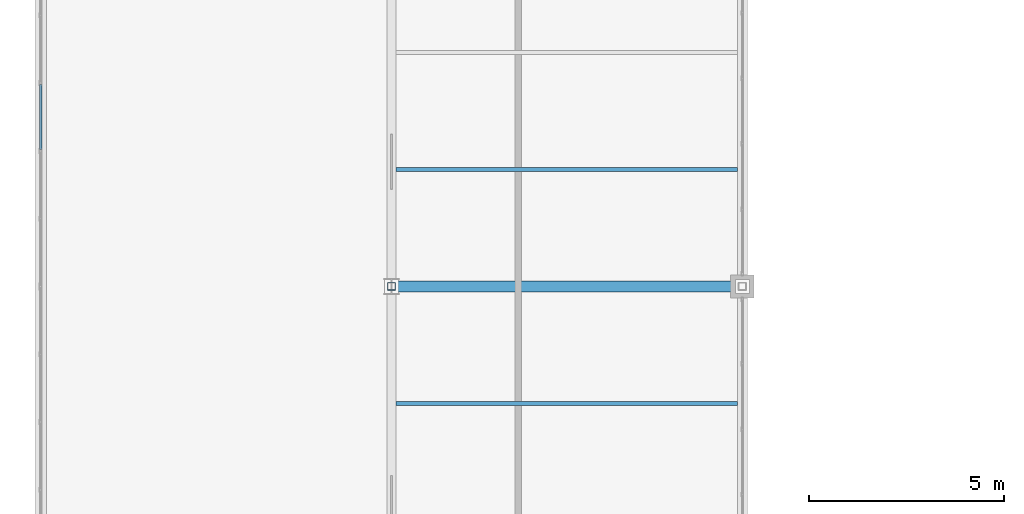
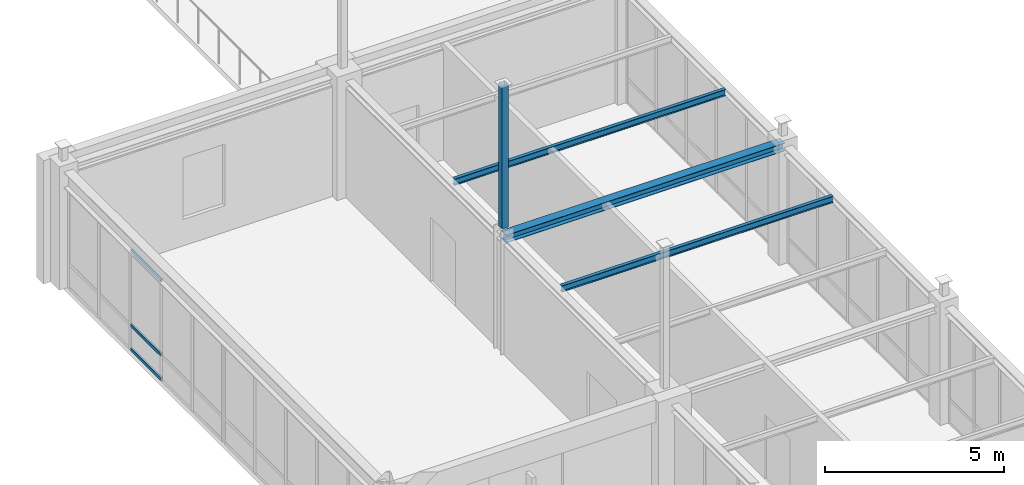
# One storey, part 22 of 36: 4 members, 3 beams, 1 element without a shape of its own.
"""IFC4 building model written with IfcOpenShell, lengths in metres."""

import ifcopenshell
import ifcopenshell.guid

model = None  # the IFC model being written
_history = None  # IfcOwnerHistory: only IFC2X3 demands one
_inside = {}  # id of a spatial element -> (the spatial element, [elements in it])
_under = {}  # id of a project, library or spatial element -> (it, [spatial elements below it])
_declared = {}  # id of a project -> (the project, [libraries it declares])
_typed = {}  # id of a type object -> (the type object, [elements of that type])
_made_of = {}  # id of a material, layer set ... -> (it, [elements and type objects made of it])


def new_model(schema):
    """Start an empty IFC model of exactly this schema.

    Asked for "IFC4X3", IfcOpenShell would pick the latest addendum, in which some entities
    have other attributes; the version numbers below select the first issue.
    IFC2X3 requires an IfcOwnerHistory on every rooted entity: one is made here for all.
    """
    global model, _history
    if schema == "IFC4X3":
        model = ifcopenshell.file(schema_version=(4, 3, 0, 0))
    else:
        model = ifcopenshell.file(schema=schema)
    _inside.clear()
    _under.clear()
    _declared.clear()
    _typed.clear()
    _made_of.clear()
    _history = None
    if model.schema == "IFC2X3":
        org = make("IfcOrganization", Name="unknown")
        user = make(
            "IfcPersonAndOrganization",
            ThePerson=make("IfcPerson", FamilyName="unknown"),
            TheOrganization=org,
        )
        app = make(
            "IfcApplication",
            ApplicationDeveloper=org,
            Version="unknown",
            ApplicationFullName="unknown",
            ApplicationIdentifier="unknown",
        )
        _history = make(
            "IfcOwnerHistory",
            OwningUser=user,
            OwningApplication=app,
            ChangeAction="ADDED",
            CreationDate=0,
        )
    return model


def make(cls, **values):
    """One entity of the class cls with the attributes given. An attribute that is None is left unset."""
    return model.create_entity(
        cls, **{name: value for name, value in values.items() if value is not None}
    )


def rooted(cls, **values):
    """An entity with a GlobalId (a new one), such as an element, a storey or a relation."""
    return make(cls, GlobalId=ifcopenshell.guid.new(), OwnerHistory=_history, **values)


def si_unit(unit_type, name, prefix=None):
    """IfcSIUnit, for example si_unit("LENGTHUNIT", "METRE", prefix="MILLI")."""
    return make("IfcSIUnit", UnitType=unit_type, Prefix=prefix, Name=name)


def assignment(units):
    """IfcUnitAssignment: the units of a project."""
    return None if units is None else make("IfcUnitAssignment", Units=units)


def point(xyz):
    """IfcCartesianPoint."""
    return None if xyz is None else make("IfcCartesianPoint", Coordinates=xyz)


def direction(xyz):
    """IfcDirection."""
    return None if xyz is None else make("IfcDirection", DirectionRatios=xyz)


def frame(location, z_axis=None, x_axis=None):
    """IfcAxis2Placement3D, a coordinate frame: its origin and axes. An axis left out is left unset."""
    return make(
        "IfcAxis2Placement3D",
        Location=point(location),
        Axis=direction(z_axis),
        RefDirection=direction(x_axis),
    )


def frame_2d(location, x_axis=None):
    """IfcAxis2Placement2D, a coordinate frame in the plane: its origin and x axis."""
    return make(
        "IfcAxis2Placement2D", Location=point(location), RefDirection=direction(x_axis)
    )


def origin():
    """The frame at (0, 0, 0) with its axes left unset."""
    return frame((0.0, 0.0, 0.0))


def origin_2d():
    """The frame at (0, 0) in the plane with its x axis left unset."""
    return frame_2d((0.0, 0.0))


def place(relative_to, where):
    """IfcLocalPlacement: puts the frame where relative to a parent placement (None: the world)."""
    return make(
        "IfcLocalPlacement", PlacementRelTo=relative_to, RelativePlacement=where
    )


def context(
    kind, dimensions, precision=None, world=None, true_north=None, identifier=None
):
    """IfcGeometricRepresentationContext, for example the 3D "Model" context."""
    return make(
        "IfcGeometricRepresentationContext",
        ContextIdentifier=identifier,
        ContextType=kind,
        CoordinateSpaceDimension=dimensions,
        Precision=precision,
        WorldCoordinateSystem=world,
        TrueNorth=true_north,
    )


def subcontext(parent, identifier, kind, view, scale=None):
    """IfcGeometricRepresentationSubContext, for example "Body" below "Model"."""
    return make(
        "IfcGeometricRepresentationSubContext",
        ContextIdentifier=identifier,
        ContextType=kind,
        ParentContext=parent,
        TargetScale=scale,
        TargetView=view,
    )


def project(units=None, contexts=None):
    """IfcProject with its units and contexts."""
    return rooted(
        "IfcProject",
        Name="project",
        RepresentationContexts=contexts,
        UnitsInContext=assignment(units),
    )


def spatial(cls, under=None, at=None, **own):
    """A site, building, storey or space (cls), placed at a placement, below another one or the project."""
    s = rooted(cls, ObjectPlacement=at, **own)
    if under is not None:
        _under.setdefault(under.id(), (under, []))[1].append(s)
    return s


def profile(cls, at=None, kind="AREA", **sizes):
    """A parametric profile (cls). Its sizes go by their IFC names, for example OverallWidth=200.0."""
    return make(cls, ProfileType=kind, Position=at, **sizes)


def hollow_rectangle(**sizes):
    """IfcRectangleHollowProfileDef."""
    return profile("IfcRectangleHollowProfileDef", **sizes)


def i_section(**sizes):
    """IfcIShapeProfileDef."""
    return profile("IfcIShapeProfileDef", **sizes)


def extrude(swept, where, along, depth):
    """IfcExtrudedAreaSolid: the profile swept, set in the frame where, extruded along a direction by depth."""
    return make(
        "IfcExtrudedAreaSolid",
        SweptArea=swept,
        Position=where,
        ExtrudedDirection=direction(along),
        Depth=depth,
    )


def shape(context_of_items, identifier, shape_type, items):
    """IfcShapeRepresentation: the items that make up one representation, for example the "Body"."""
    return make(
        "IfcShapeRepresentation",
        ContextOfItems=context_of_items,
        RepresentationIdentifier=identifier,
        RepresentationType=shape_type,
        Items=items,
    )


def material(Name=None, Category=None):
    """IfcMaterial."""
    return make("IfcMaterial", Name=Name, Category=Category)


def material_profile(
    of_material, cross_section, Name=None, Category=None, Priority=None
):
    """IfcMaterialProfile: a cross section and its material."""
    return make(
        "IfcMaterialProfile",
        Name=Name,
        Material=of_material,
        Profile=cross_section,
        Priority=Priority,
        Category=Category,
    )


def profile_set(profiles, Name=None, composite=None):
    """IfcMaterialProfileSet."""
    return make(
        "IfcMaterialProfileSet",
        Name=Name,
        MaterialProfiles=profiles,
        CompositeProfile=composite,
    )


def made_of(thing, what):
    """Note that an element or type object is made of a material, layer set ...; save() writes the relation."""
    if what is not None:
        _made_of.setdefault(what.id(), (what, []))[1].append(thing)
    return thing


def type_object(cls, material=None, **own):
    """A type object (cls), such as IfcWallType, which elements share."""
    return made_of(rooted(cls, **own), material)


def element(
    cls,
    number,
    at=None,
    inside=None,
    cuts=None,
    type_object=None,
    material=None,
    context=None,
    identifier="Body",
    shape_type=None,
    held_by="IfcProductDefinitionShape",
    body=None,
    shapes=None,
    **own,
):
    """One element of the class cls, such as IfcWall. Its Tag is "e" and its number.

    at: its placement. inside: the storey or other place that contains it. cuts: it is an
    opening in that element (IfcRelVoidsElement). A single representation is given by context,
    identifier, shape_type and body (its items); several are given by shapes. held_by: the class
    of the entity that holds the representations. save() writes the other relations.
    """
    e = rooted(cls, Tag="e%d" % number, ObjectPlacement=at, **own)
    if body is not None:
        shapes = [shape(context, identifier, shape_type, body)]
    if shapes is not None:
        e.Representation = make(held_by, Representations=shapes)
    if inside is not None:
        _inside.setdefault(inside.id(), (inside, []))[1].append(e)
    if cuts is not None:
        rooted(
            "IfcRelVoidsElement", RelatingBuildingElement=cuts, RelatedOpeningElement=e
        )
    if type_object is not None:
        _typed.setdefault(type_object.id(), (type_object, []))[1].append(e)
    return made_of(e, material)


def aggregate(whole, parts):
    """IfcRelAggregates: a whole, such as a stair, and the parts it consists of."""
    return rooted("IfcRelAggregates", RelatingObject=whole, RelatedObjects=parts)


def save(model, path):
    """Write the relations noted so far, then the file.

    IfcRelAggregates (storeys below a building ...), IfcRelContainedInSpatialStructure (elements
    in a storey), IfcRelDefinesByType, IfcRelAssociatesMaterial and IfcRelDeclares: one each for
    every whole, place, type object, material and project.
    """
    for whole, parts in _under.values():
        aggregate(whole, parts)
    for where, things in _inside.values():
        rooted(
            "IfcRelContainedInSpatialStructure",
            RelatedElements=things,
            RelatingStructure=where,
        )
    for kind, things in _typed.values():
        rooted("IfcRelDefinesByType", RelatedObjects=things, RelatingType=kind)
    for what, things in _made_of.values():
        rooted("IfcRelAssociatesMaterial", RelatedObjects=things, RelatingMaterial=what)
    for by, libraries in _declared.values():
        rooted("IfcRelDeclares", RelatingContext=by, RelatedDefinitions=libraries)
    model.write(path)


model = new_model("IFC4")

# Units and contexts
model_context = context("Model", 3, precision=1e-05, world=origin(), true_north=direction((0.0, 1.0)))
body_context = subcontext(model_context, "Body", "Model", "MODEL_VIEW")
ifc_project = project(units=[si_unit("LENGTHUNIT", "METRE"), si_unit("AREAUNIT", "SQUARE_METRE"), si_unit("VOLUMEUNIT", "CUBIC_METRE"), si_unit("PLANEANGLEUNIT", "RADIAN"), si_unit("MASSUNIT", "GRAM", prefix="KILO")], contexts=[model_context])

# Site, building, storey
site_placement = place(None, origin())
site = spatial("IfcSite", under=ifc_project, at=site_placement, CompositionType="ELEMENT")
building_placement = place(site_placement, origin())
building = spatial("IfcBuilding", under=site, at=building_placement, Name="Lykobir Media Centre", CompositionType="ELEMENT")
storey_placement = place(building_placement, frame((0.0, 0.0, 27.60009765625)))
storey = spatial("IfcBuildingStorey", under=building, at=storey_placement, Name="L06", CompositionType="ELEMENT", Elevation=27.60009765625)

# Beam
ifc_material_1 = material(Name="Steel S355", Category="steel")
ifc_material_profile_1 = material_profile(ifc_material_1, i_section(OverallWidth=0.280029296875, OverallDepth=0.27001953125, WebThickness=0.008056640625, FlangeThickness=0.012939453125, at=origin_2d()), Name="HEA 280")
ifc_profile_set_1 = profile_set([ifc_material_profile_1], Name="Steel S355")
beam_type_1 = type_object("IfcBeamType", Name="BM-HEA280", PredefinedType="BEAM", material=ifc_profile_set_1)
beam_placement = place(storey_placement, frame((27.0, 36.0, 3.844970703125), z_axis=(1.0, 0.0, 0.0), x_axis=(0.0, 1.0, 0.0)))
element("IfcBeam", 1, at=beam_placement, inside=storey, type_object=beam_type_1, Name="Beam BM-L06-0270-0360-0360-0360-3144", PredefinedType="BEAM", context=body_context, shape_type="SweptSolid", body=[
    extrude(i_section(OverallWidth=0.280029296875, OverallDepth=0.27001953125, WebThickness=0.008056640625, FlangeThickness=0.012939453125, at=origin_2d()), origin(), (0.0, 0.0, 1.0), 9.0),
])

# Curtain wall, members
ifc_material_2 = material(Name="Anodized Aluminium AW-6060", Category="aluminium")
curtain_wall_type = type_object("IfcCurtainWallType", Name="CW-PAV-V3", PredefinedType="NOTDEFINED", material=ifc_material_2)
curtain_wall_placement = place(storey_placement, origin())
curtain_wall = element("IfcCurtainWall", 2, at=curtain_wall_placement, inside=storey, type_object=curtain_wall_type, Name="Curtain wall CW2-L06-0214", PredefinedType="NOTDEFINED")
ifc_material_profile_2 = material_profile(ifc_material_2, hollow_rectangle(XDim=0.06005859375, YDim=0.10498046875, WallThickness=0.0029296875, at=origin_2d()), Name="ALU TRANSOM 60x105")
ifc_profile_set_2 = profile_set([ifc_material_profile_2], Name="Anodized Aluminium AW-6060")
member_type_1 = type_object("IfcMemberType", Name="CWT-105", PredefinedType="USERDEFINED", material=ifc_profile_set_2)
member_1_placement = place(storey_placement, frame((18.0, 39.508056640625, 0.02978515625), z_axis=(0.0, 1.0, 0.0), x_axis=(-1.0, 0.0, 0.0)))
member_1 = element("IfcMember", 3, at=member_1_placement, type_object=member_type_1, Name="CW2-L06-0214 transom 3.1", ObjectType="TRANSOM", PredefinedType="USERDEFINED", context=body_context, shape_type="SweptSolid", body=[
    extrude(hollow_rectangle(XDim=0.06005859375, YDim=0.10498046875, WallThickness=0.0029296875, at=origin_2d()), origin(), (0.0, 0.0, 1.0), 1.678955078125),
])
member_2_placement = place(storey_placement, frame((18.0, 39.508056640625, 0.849853515625), z_axis=(0.0, 1.0, 0.0), x_axis=(-1.0, 0.0, 0.0)))
member_2 = element("IfcMember", 4, at=member_2_placement, type_object=member_type_1, Name="CW2-L06-0214 transom 3.2", ObjectType="TRANSOM", PredefinedType="USERDEFINED", context=body_context, shape_type="SweptSolid", body=[
    extrude(hollow_rectangle(XDim=0.06005859375, YDim=0.10498046875, WallThickness=0.0029296875, at=origin_2d()), origin(), (0.0, 0.0, 1.0), 1.678955078125),
])
member_3_placement = place(storey_placement, frame((18.0, 39.508056640625, 3.385009765625), z_axis=(0.0, 1.0, 0.0), x_axis=(-1.0, 0.0, 0.0)))
member_3 = element("IfcMember", 5, at=member_3_placement, type_object=member_type_1, Name="CW2-L06-0214 transom 3.3", ObjectType="TRANSOM", PredefinedType="USERDEFINED", context=body_context, shape_type="SweptSolid", body=[
    extrude(hollow_rectangle(XDim=0.06005859375, YDim=0.10498046875, WallThickness=0.0029296875, at=origin_2d()), origin(), (0.0, 0.0, 1.0), 1.678955078125),
])
aggregate(curtain_wall, [member_1, member_2, member_3])

# Beams
ifc_material_profile_3 = material_profile(ifc_material_1, i_section(OverallWidth=0.110107421875, OverallDepth=0.219970703125, WebThickness=0.005859375, FlangeThickness=0.00927734375, at=origin_2d()), Name="IPE 220")
ifc_profile_set_3 = profile_set([ifc_material_profile_3], Name="Steel S355")
beam_type_2 = type_object("IfcBeamType", Name="JS-IPE220", PredefinedType="JOIST", material=ifc_profile_set_3)
for number, where, z_axis, x_axis, name in (
    (6, (27.1201171875, 33.0, 3.869873046875), (1.0, 0.0, 0.0), (0.0, 1.0, 0.0), "Beam BM-L06-0271-0330-0359-0330-3147"),
    (7, (27.1201171875, 39.0, 3.869873046875), (1.0, 0.0, 0.0), (0.0, 1.0, 0.0), "Beam BM-L06-0271-0390-0359-0390-3147"),
):
    element("IfcBeam", number, at=place(storey_placement, frame(where, z_axis=z_axis, x_axis=x_axis)), inside=storey, type_object=beam_type_2, Name=name, PredefinedType="JOIST", context=body_context, shape_type="SweptSolid", body=[
        extrude(i_section(OverallWidth=0.110107421875, OverallDepth=0.219970703125, WebThickness=0.005859375, FlangeThickness=0.00927734375, at=origin_2d()), origin(), (0.0, 0.0, 1.0), 8.75),
    ])

# Member
ifc_material_profile_4 = material_profile(ifc_material_1, hollow_rectangle(XDim=0.199951171875, YDim=0.199951171875, WallThickness=0.010009765625, at=origin_2d()), Name="SHS 200x200x10")
ifc_profile_set_4 = profile_set([ifc_material_profile_4], Name="Steel S355")
member_type_2 = type_object("IfcMemberType", Name="TC-SHS200", PredefinedType="CHORD", material=ifc_profile_set_4)
member_4_placement = place(storey_placement, frame((27.0, 36.0, 4.199951171875), z_axis=(0.0, 0.0, 1.0), x_axis=(1.0, 0.0, 0.0)))
element("IfcMember", 8, at=member_4_placement, inside=storey, type_object=member_type_2, Name="Truss chord MEM2-L06-0270-0360-0318-0270-0360-0004", PredefinedType="CHORD", context=body_context, shape_type="SweptSolid", body=[
    extrude(hollow_rectangle(XDim=0.199951171875, YDim=0.199951171875, WallThickness=0.010009765625, at=origin_2d()), origin(), (0.0, 0.0, 1.0), 4.890869140625),
])

save(model, "model.ifc")
